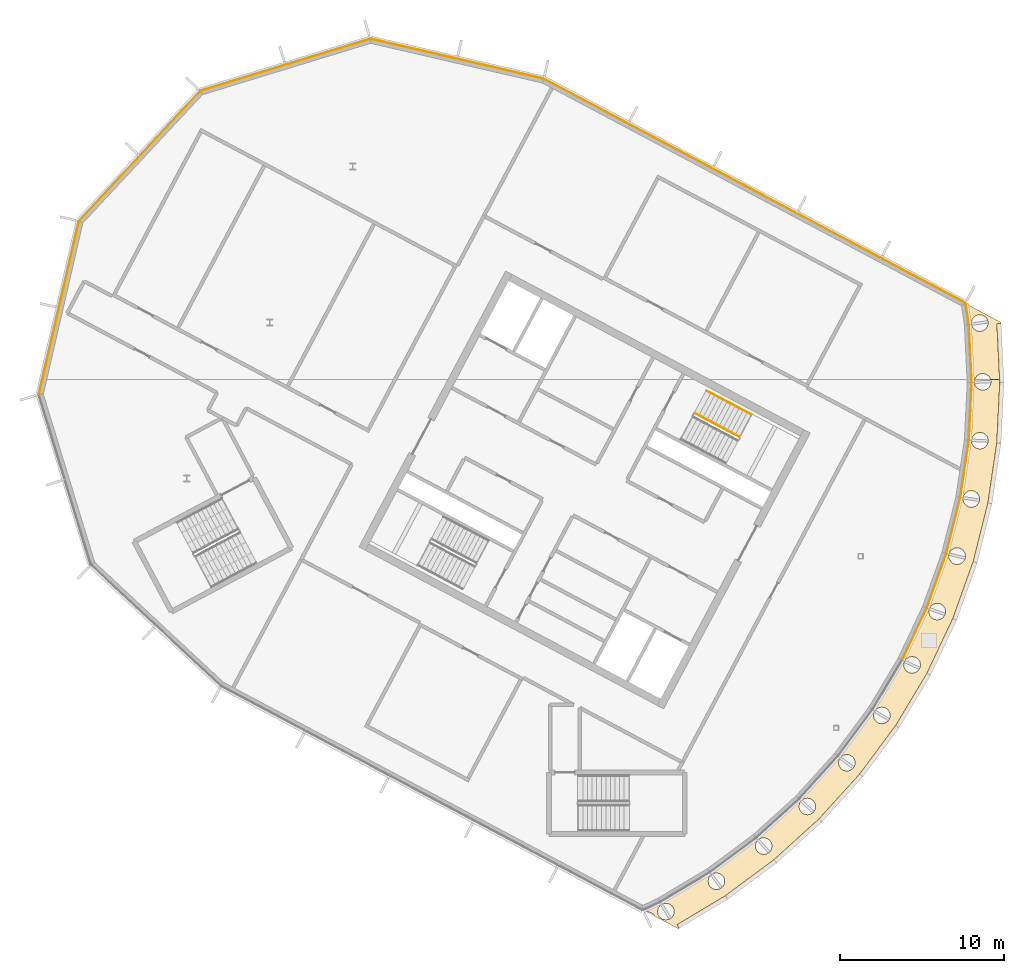
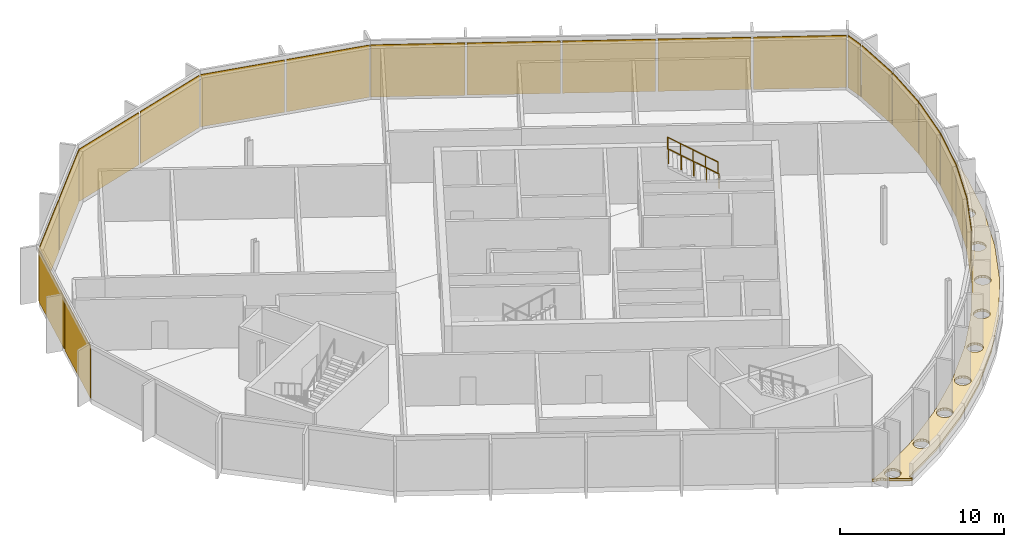
# One storey, part 12 of 12: 22 coverings, 2 railings, 12 elements without a shape of their own.
"""IFC4 building model written with IfcOpenShell, lengths in metres."""

from ifc_helpers import new_model, si_unit, direction, frame, origin, origin_2d, place, context, subcontext, project, spatial, polyline, rectangle, outline, extrude, material, layer, layer_set, type_object, element, aggregate, save


model = new_model("IFC4")

# Units and contexts
model_context = context("Model", 3, precision=1e-05, world=origin(), true_north=direction((0.0, 1.0)))
body_context = subcontext(model_context, "Body", "Model", "MODEL_VIEW")
ifc_project = project(units=[si_unit("LENGTHUNIT", "METRE"), si_unit("AREAUNIT", "SQUARE_METRE"), si_unit("VOLUMEUNIT", "CUBIC_METRE"), si_unit("PLANEANGLEUNIT", "RADIAN"), si_unit("MASSUNIT", "GRAM", prefix="KILO")], contexts=[model_context])

# Site, building, storey
site_placement = place(None, origin())
site = spatial("IfcSite", under=ifc_project, at=site_placement, CompositionType="ELEMENT")
building_placement = place(site_placement, origin())
building = spatial("IfcBuilding", under=site, at=building_placement, Name="Cormorant Relay Tower", CompositionType="ELEMENT")
storey_placement = place(building_placement, frame((0.0, 0.0, 349.199951171875)))
storey = spatial("IfcBuildingStorey", under=building, at=storey_placement, Name="C6", CompositionType="ELEMENT", Elevation=349.199951171875)

# Curtain wall, covering
ifc_material_1 = material(Name="Aluminium 6063-T6 anodised bronze", Category="aluminium")
ifc_layer_1 = layer(ifc_material_1, 0.199951171875)
ifc_layer_set_1 = layer_set([ifc_layer_1], Name="CW3 crown screen wall")
curtain_wall_type = type_object("IfcCurtainWallType", Name="CW3 crown screen wall", PredefinedType="NOTDEFINED", material=ifc_layer_set_1)
curtain_wall_1_placement = place(storey_placement, origin())
curtain_wall_1 = element("IfcCurtainWall", 1, at=curtain_wall_1_placement, inside=storey, type_object=curtain_wall_type, Name="CW3 curtain wall 9", PredefinedType="NOTDEFINED")
ifc_material_2 = material(Name="Perforated bronze anodised aluminium screen", Category="aluminium")
ifc_layer_2 = layer(ifc_material_2, 0.0400390625)
ifc_layer_set_2 = layer_set([ifc_layer_2], Name="CW3 perforated bronze screen panel 40")
covering_type_1 = type_object("IfcCoveringType", Name="CW3 perforated bronze screen panel 40", PredefinedType="CLADDING", material=ifc_layer_set_2)
covering_1_placement = place(storey_placement, frame((-7.194091796875, 5.778076171875, 0.0), z_axis=(0.0, 0.0, 1.0), x_axis=(0.42755509343, 0.903989293123, 0.0)))
covering_1 = element("IfcCovering", 2, at=covering_1_placement, type_object=covering_type_1, Name="CW3 panel X00", PredefinedType="CLADDING", context=body_context, shape_type="SweptSolid", body=[
    extrude(rectangle(XDim=3.4580078125, YDim=0.0400390625, at=origin_2d()), origin(), (0.0, 0.0, 1.0), 3.89990234375),
])
aggregate(curtain_wall_1, [covering_1])

curtain_wall_2_placement = place(storey_placement, origin())
curtain_wall_2 = element("IfcCurtainWall", 3, at=curtain_wall_2_placement, inside=storey, type_object=curtain_wall_type, Name="CW3 curtain wall 10", PredefinedType="NOTDEFINED")
covering_2_placement = place(storey_placement, frame((-5.846435546875, 9.04150390625, 0.0), z_axis=(0.0, 0.0, 1.0), x_axis=(0.336889853392, 0.941544065183, 0.0)))
covering_2 = element("IfcCovering", 4, at=covering_2_placement, type_object=covering_type_1, Name="CW3 panel X00", PredefinedType="CLADDING", context=body_context, shape_type="SweptSolid", body=[
    extrude(rectangle(XDim=3.4580078125, YDim=0.0400390625, at=origin_2d()), origin(), (0.0, 0.0, 1.0), 3.89990234375),
])
aggregate(curtain_wall_2, [covering_2])

curtain_wall_3_placement = place(storey_placement, origin())
curtain_wall_3 = element("IfcCurtainWall", 5, at=curtain_wall_3_placement, inside=storey, type_object=curtain_wall_type, Name="CW3 curtain wall 11", PredefinedType="NOTDEFINED")
covering_3_placement = place(storey_placement, frame((-4.8251953125, 12.4208984375, 0.0), z_axis=(0.0, 0.0, 1.0), x_axis=(0.242980179903, 0.970031253195, 0.0)))
covering_3 = element("IfcCovering", 6, at=covering_3_placement, type_object=covering_type_1, Name="CW3 panel X00", PredefinedType="CLADDING", context=body_context, shape_type="SweptSolid", body=[
    extrude(rectangle(XDim=3.4580078125, YDim=0.0400390625, at=origin_2d()), origin(), (0.0, 0.0, 1.0), 3.89990234375),
])
aggregate(curtain_wall_3, [covering_3])

curtain_wall_4_placement = place(storey_placement, origin())
curtain_wall_4 = element("IfcCurtainWall", 7, at=curtain_wall_4_placement, inside=storey, type_object=curtain_wall_type, Name="CW3 curtain wall 12", PredefinedType="NOTDEFINED")
covering_4_placement = place(storey_placement, frame((-4.139892578125, 15.884521484375, 0.0), z_axis=(0.0, 0.0, 1.0), x_axis=(0.146730474455, 0.989176509965, 0.0)))
covering_4 = element("IfcCovering", 8, at=covering_4_placement, type_object=covering_type_1, Name="CW3 panel X00", PredefinedType="CLADDING", context=body_context, shape_type="SweptSolid", body=[
    extrude(rectangle(XDim=3.4580078125, YDim=0.0400390625, at=origin_2d()), origin(), (0.0, 0.0, 1.0), 3.89990234375),
])
aggregate(curtain_wall_4, [covering_4])

curtain_wall_5_placement = place(storey_placement, origin())
curtain_wall_5 = element("IfcCurtainWall", 9, at=curtain_wall_5_placement, inside=storey, type_object=curtain_wall_type, Name="CW3 curtain wall 13", PredefinedType="NOTDEFINED")
covering_5_placement = place(storey_placement, frame((-3.797607421875, 19.3984375, 0.0), z_axis=(0.0, 0.0, 1.0), x_axis=(0.049067674327, 0.998795456205, 0.0)))
covering_5 = element("IfcCovering", 10, at=covering_5_placement, type_object=covering_type_1, Name="CW3 panel X00", PredefinedType="CLADDING", context=body_context, shape_type="SweptSolid", body=[
    extrude(rectangle(XDim=3.4580078125, YDim=0.0400390625, at=origin_2d()), origin(), (0.0, 0.0, 1.0), 3.89990234375),
])
aggregate(curtain_wall_5, [covering_5])

curtain_wall_6_placement = place(storey_placement, origin())
curtain_wall_6 = element("IfcCurtainWall", 11, at=curtain_wall_6_placement, inside=storey, type_object=curtain_wall_type, Name="CW3 curtain wall 14", PredefinedType="NOTDEFINED")
covering_6_placement = place(storey_placement, frame((-3.80126953125, 22.928955078125, 0.0), z_axis=(0.0, 0.0, 1.0), x_axis=(-0.049067674327, 0.998795456205, 0.0)))
covering_6 = element("IfcCovering", 12, at=covering_6_placement, type_object=covering_type_1, Name="CW3 panel X00", PredefinedType="CLADDING", context=body_context, shape_type="SweptSolid", body=[
    extrude(rectangle(XDim=3.4580078125, YDim=0.0400390625, at=origin_2d()), origin(), (0.0, 0.0, 1.0), 3.89990234375),
])
aggregate(curtain_wall_6, [covering_6])

curtain_wall_7_placement = place(storey_placement, origin())
curtain_wall_7 = element("IfcCurtainWall", 13, at=curtain_wall_7_placement, inside=storey, type_object=curtain_wall_type, Name="CW3 curtain wall 15", PredefinedType="NOTDEFINED")
covering_7_placement = place(storey_placement, frame((-3.98876953125, 25.349609375, 0.0), z_axis=(0.0, 0.0, 1.0), x_axis=(-0.146730474455, 0.989176509965, 0.0)))
covering_7 = element("IfcCovering", 14, at=covering_7_placement, type_object=covering_type_1, Name="CW3 panel X00", PredefinedType="CLADDING", context=body_context, shape_type="SweptSolid", body=[
    extrude(rectangle(XDim=1.24853515625, YDim=0.0400390625, at=origin_2d()), origin(), (0.0, 0.0, 1.0), 3.89990234375),
])
aggregate(curtain_wall_7, [covering_7])

# Curtain wall, coverings
curtain_wall_8_placement = place(storey_placement, origin())
curtain_wall_8 = element("IfcCurtainWall", 15, at=curtain_wall_8_placement, inside=storey, type_object=curtain_wall_type, Name="CW3 curtain wall 16", PredefinedType="NOTDEFINED")
covering_8_placement = place(storey_placement, frame((-6.668212890625, 27.35205078125, 0.0), z_axis=(0.0, 0.0, 1.0), x_axis=(-0.882947592859, 0.469471562786, 0.0)))
covering_8 = element("IfcCovering", 16, at=covering_8_placement, type_object=covering_type_1, Name="CW3 panel X00", PredefinedType="CLADDING", context=body_context, shape_type="SweptSolid", body=[
    extrude(rectangle(XDim=5.68798828125, YDim=0.0400390625, at=origin_2d()), origin(), (0.0, 0.0, 1.0), 3.89990234375),
])
covering_9_placement = place(storey_placement, frame((-11.822998046875, 30.093017578125, 0.0), z_axis=(0.0, 0.0, 1.0), x_axis=(-0.882947592859, 0.469471562786, 0.0)))
covering_9 = element("IfcCovering", 17, at=covering_9_placement, type_object=covering_type_1, Name="CW3 panel X01", PredefinedType="CLADDING", context=body_context, shape_type="SweptSolid", body=[
    extrude(rectangle(XDim=5.68798828125, YDim=0.0400390625, at=origin_2d()), origin(), (0.0, 0.0, 1.0), 3.89990234375),
])
covering_10_placement = place(storey_placement, frame((-16.9775390625, 32.833740234375, 0.0), z_axis=(0.0, 0.0, 1.0), x_axis=(-0.882947592859, 0.469471562786, 0.0)))
covering_10 = element("IfcCovering", 18, at=covering_10_placement, type_object=covering_type_1, Name="CW3 panel X02", PredefinedType="CLADDING", context=body_context, shape_type="SweptSolid", body=[
    extrude(rectangle(XDim=5.68798828125, YDim=0.0400390625, at=origin_2d()), origin(), (0.0, 0.0, 1.0), 3.89990234375),
])
covering_11_placement = place(storey_placement, frame((-22.13232421875, 35.57470703125, 0.0), z_axis=(0.0, 0.0, 1.0), x_axis=(-0.882947592859, 0.469471562786, 0.0)))
covering_11 = element("IfcCovering", 19, at=covering_11_placement, type_object=covering_type_1, Name="CW3 panel X03", PredefinedType="CLADDING", context=body_context, shape_type="SweptSolid", body=[
    extrude(rectangle(XDim=5.68798828125, YDim=0.0400390625, at=origin_2d()), origin(), (0.0, 0.0, 1.0), 3.89990234375),
])
covering_12_placement = place(storey_placement, frame((-27.320068359375, 38.3330078125, 0.0), z_axis=(0.0, 0.0, 1.0), x_axis=(-0.882947592859, 0.469471562786, 0.0)))
covering_12 = element("IfcCovering", 20, at=covering_12_placement, type_object=covering_type_1, Name="CW3 panel X04", PredefinedType="CLADDING", context=body_context, shape_type="SweptSolid", body=[
    extrude(rectangle(XDim=5.76318359375, YDim=0.0400390625, at=origin_2d()), origin(), (0.0, 0.0, 1.0), 3.89990234375),
])
aggregate(curtain_wall_8, [covering_8, covering_9, covering_10, covering_11, covering_12])

curtain_wall_9_placement = place(storey_placement, origin())
curtain_wall_9 = element("IfcCurtainWall", 21, at=curtain_wall_9_placement, inside=storey, type_object=curtain_wall_type, Name="CW3 curtain wall 17", PredefinedType="NOTDEFINED")
covering_13_placement = place(storey_placement, frame((-32.51708984375, 40.298828125, 0.0), z_axis=(0.0, 0.0, 1.0), x_axis=(-0.974370064785, 0.224951054344, 0.0)))
covering_13 = element("IfcCovering", 22, at=covering_13_placement, type_object=covering_type_1, Name="CW3 panel X00", PredefinedType="CLADDING", context=body_context, shape_type="SweptSolid", body=[
    extrude(rectangle(XDim=5.28515625, YDim=0.0400390625, at=origin_2d()), origin(), (0.0, 0.0, 1.0), 3.89990234375),
])
covering_14_placement = place(storey_placement, frame((-37.849609375, 41.530029296875, 0.0), z_axis=(0.0, 0.0, 1.0), x_axis=(-0.974370064785, 0.224951054344, 0.0)))
covering_14 = element("IfcCovering", 23, at=covering_14_placement, type_object=covering_type_1, Name="CW3 panel X01", PredefinedType="CLADDING", context=body_context, shape_type="SweptSolid", body=[
    extrude(rectangle(XDim=5.360107421875, YDim=0.0400390625, at=origin_2d()), origin(), (0.0, 0.0, 1.0), 3.89990234375),
])
aggregate(curtain_wall_9, [covering_13, covering_14])

curtain_wall_10_placement = place(storey_placement, origin())
curtain_wall_10 = element("IfcCurtainWall", 24, at=curtain_wall_10_placement, inside=storey, type_object=curtain_wall_type, Name="CW3 curtain wall 18", PredefinedType="NOTDEFINED")
covering_15_placement = place(storey_placement, frame((-43.0703125, 41.337890625, 0.0), z_axis=(0.0, 0.0, 1.0), x_axis=(-0.956304755963, -0.292371704723, 0.0)))
covering_15 = element("IfcCovering", 25, at=covering_15_placement, type_object=covering_type_1, Name="CW3 panel X00", PredefinedType="CLADDING", context=body_context, shape_type="SweptSolid", body=[
    extrude(rectangle(XDim=5.28515625, YDim=0.0400390625, at=origin_2d()), origin(), (0.0, 0.0, 1.0), 3.89990234375),
])
covering_16_placement = place(storey_placement, frame((-48.3037109375, 39.73779296875, 0.0), z_axis=(0.0, 0.0, 1.0), x_axis=(-0.956304755963, -0.292371704723, 0.0)))
covering_16 = element("IfcCovering", 26, at=covering_16_placement, type_object=covering_type_1, Name="CW3 panel X01", PredefinedType="CLADDING", context=body_context, shape_type="SweptSolid", body=[
    extrude(rectangle(XDim=5.360107421875, YDim=0.0400390625, at=origin_2d()), origin(), (0.0, 0.0, 1.0), 3.89990234375),
])
aggregate(curtain_wall_10, [covering_15, covering_16])

curtain_wall_11_placement = place(storey_placement, origin())
curtain_wall_11 = element("IfcCurtainWall", 27, at=curtain_wall_11_placement, inside=storey, type_object=curtain_wall_type, Name="CW3 curtain wall 19", PredefinedType="NOTDEFINED")
covering_17_placement = place(storey_placement, frame((-52.72900390625, 36.961181640625, 0.0), z_axis=(0.0, 0.0, 1.0), x_axis=(-0.681998360062, -0.731353701619, 0.0)))
covering_17 = element("IfcCovering", 28, at=covering_17_placement, type_object=covering_type_1, Name="CW3 panel X00", PredefinedType="CLADDING", context=body_context, shape_type="SweptSolid", body=[
    extrude(rectangle(XDim=5.28515625, YDim=0.0400390625, at=origin_2d()), origin(), (0.0, 0.0, 1.0), 3.89990234375),
])
covering_18_placement = place(storey_placement, frame((-56.461181640625, 32.958984375, 0.0), z_axis=(0.0, 0.0, 1.0), x_axis=(-0.681998360062, -0.731353701619, 0.0)))
covering_18 = element("IfcCovering", 29, at=covering_18_placement, type_object=covering_type_1, Name="CW3 panel X01", PredefinedType="CLADDING", context=body_context, shape_type="SweptSolid", body=[
    extrude(rectangle(XDim=5.360107421875, YDim=0.0400390625, at=origin_2d()), origin(), (0.0, 0.0, 1.0), 3.89990234375),
])
aggregate(curtain_wall_11, [covering_17, covering_18])

curtain_wall_12_placement = place(storey_placement, origin())
curtain_wall_12 = element("IfcCurtainWall", 30, at=curtain_wall_12_placement, inside=storey, type_object=curtain_wall_type, Name="CW3 curtain wall 20", PredefinedType="NOTDEFINED")
covering_19_placement = place(storey_placement, frame((-58.905517578125, 28.341796875, 0.0), z_axis=(0.0, 0.0, 1.0), x_axis=(-0.224951054344, -0.974370064785, 0.0)))
covering_19 = element("IfcCovering", 31, at=covering_19_placement, type_object=covering_type_1, Name="CW3 panel X00", PredefinedType="CLADDING", context=body_context, shape_type="SweptSolid", body=[
    extrude(rectangle(XDim=5.28515625, YDim=0.0400390625, at=origin_2d()), origin(), (0.0, 0.0, 1.0), 3.89990234375),
])
covering_20_placement = place(storey_placement, frame((-60.136474609375, 23.00927734375, 0.0), z_axis=(0.0, 0.0, 1.0), x_axis=(-0.224951054344, -0.974370064785, 0.0)))
covering_20 = element("IfcCovering", 32, at=covering_20_placement, type_object=covering_type_1, Name="CW3 panel X01", PredefinedType="CLADDING", context=body_context, shape_type="SweptSolid", body=[
    extrude(rectangle(XDim=5.360107421875, YDim=0.0400390625, at=origin_2d()), origin(), (0.0, 0.0, 1.0), 3.89990234375),
])
aggregate(curtain_wall_12, [covering_19, covering_20])

# Coverings
ifc_material_3 = material(Name="Bituminous waterproof membrane on mineral wool insulation")
ifc_layer_3 = layer(ifc_material_3, 0.179931640625)
ifc_layer_set_3 = layer_set([ifc_layer_3], Name="Roof membrane and insulation 180")
covering_type_2 = type_object("IfcCoveringType", Name="Roof membrane and insulation 180", PredefinedType="ROOFING", material=ifc_layer_set_3)
covering_21_placement = place(storey_placement, origin())
element("IfcCovering", 33, at=covering_21_placement, inside=storey, type_object=covering_type_2, Name="Roof membrane", PredefinedType="ROOFING", context=body_context, shape_type="SweptSolid", body=[
    extrude(outline(polyline([(-21.638916015625, -12.2783203125), (-23.073486328125, -11.515380859375), (-23.155517578125, -11.39306640625), (-23.321044921875, -11.282470703125), (-23.51611328125, -11.24365234375), (-23.566162109375, -11.253662109375), (-23.814453125, -11.12158203125), (-23.75634765625, -11.093994140625), (-23.7353515625, -11.138427734375), (-22.73193359375, -10.663818359375), (-22.75341796875, -10.61865234375), (-22.7060546875, -10.59033203125), (-22.680908203125, -10.63232421875), (-19.69775390625, -8.844482421875), (-19.723388671875, -8.801513671875), (-19.67919921875, -8.768798828125), (-19.650146484375, -8.80810546875), (-16.856689453125, -6.736328125), (-16.886474609375, -6.6962890625), (-16.845703125, -6.6591796875), (-16.812744140625, -6.695556640625), (-14.23583984375, -4.35986328125), (-14.269287109375, -4.322998046875), (-14.232421875, -4.281982421875), (-14.196044921875, -4.31494140625), (-11.860595703125, -1.738037109375), (-11.8974609375, -1.70458984375), (-11.86474609375, -1.660400390625), (-11.825439453125, -1.689453125), (-9.753662109375, 1.10400390625), (-9.793701171875, 1.1337890625), (-9.765380859375, 1.180908203125), (-9.723388671875, 1.15576171875), (-7.935546875, 4.138916015625), (-7.978271484375, 4.16455078125), (-7.954833984375, 4.21435546875), (-7.910400390625, 4.193359375), (-6.423583984375, 7.33740234375), (-6.46875, 7.358642578125), (-6.4501953125, 7.410400390625), (-6.404052734375, 7.39404296875), (-5.232421875, 10.668701171875), (-5.279296875, 10.685302734375), (-5.26611328125, 10.73876953125), (-5.218505859375, 10.726806640625), (-4.37353515625, 14.1005859375), (-4.421875, 14.11279296875), (-4.413818359375, 14.1669921875), (-4.365478515625, 14.159912109375), (-3.85498046875, 17.60009765625), (-3.904541015625, 17.607421875), (-3.90185546875, 17.66259765625), (-3.852783203125, 17.66015625), (-3.68212890625, 21.1337890625), (-3.732177734375, 21.13623046875), (-3.73486328125, 21.191162109375), (-3.685791015625, 21.193603515625), (-3.691162109375, 21.300048828125), (-3.51611328125, 21.300048828125), (-3.543701171875, 21.16064453125), (-3.5048828125, 20.96533203125), (-3.394287109375, 20.7998046875), (-3.228759765625, 20.689208984375), (-3.033447265625, 20.650390625), (-2.83837890625, 20.689208984375), (-2.672607421875, 20.7998046875), (-2.56201171875, 20.96533203125), (-2.523193359375, 21.16064453125), (-2.551025390625, 21.300048828125), (-2.00146484375, 21.300048828125), (-1.992919921875, 21.126220703125), (-2.1748046875, 17.427001953125), (-2.718017578125, 13.763671875), (-3.617919921875, 10.1708984375), (-4.86572265625, 6.683837890625), (-6.44921875, 3.335693359375), (-8.353271484375, 0.1591796875), (-10.5595703125, -2.815673828125), (-13.046630859375, -5.559814453125), (-15.790771484375, -8.046875), (-18.765625, -10.253173828125), (-21.720458984375, -12.024169921875), (-21.5869140625, -12.247314453125), (-21.638916015625, -12.2783203125)]), holes=[polyline([(-3.402099609375, 17.091796875), (-3.206787109375, 17.052978515625), (-3.01171875, 17.091796875), (-2.845947265625, 17.202392578125), (-2.7353515625, 17.3681640625), (-2.696533203125, 17.563232421875), (-2.7353515625, 17.758544921875), (-2.845947265625, 17.924072265625), (-3.01171875, 18.03466796875), (-3.206787109375, 18.073486328125), (-3.402099609375, 18.03466796875), (-3.567626953125, 17.924072265625), (-3.67822265625, 17.758544921875), (-3.717041015625, 17.563232421875), (-3.67822265625, 17.3681640625), (-3.567626953125, 17.202392578125), (-3.402099609375, 17.091796875)]), polyline([(-3.73193359375, 13.489990234375), (-3.53662109375, 13.52880859375), (-3.37109375, 13.639404296875), (-3.260498046875, 13.80517578125), (-3.2216796875, 14.000244140625), (-3.260498046875, 14.195556640625), (-3.37109375, 14.361083984375), (-3.53662109375, 14.4716796875), (-3.73193359375, 14.510498046875), (-3.927001953125, 14.4716796875), (-4.0927734375, 14.361083984375), (-4.203369140625, 14.195556640625), (-4.2421875, 14.000244140625), (-4.203369140625, 13.80517578125), (-4.0927734375, 13.639404296875), (-3.927001953125, 13.52880859375), (-3.73193359375, 13.489990234375)]), polyline([(-4.799072265625, 10.034423828125), (-4.603759765625, 9.99560546875), (-4.40869140625, 10.034423828125), (-4.242919921875, 10.14501953125), (-4.13232421875, 10.310791015625), (-4.093505859375, 10.505859375), (-4.13232421875, 10.701171875), (-4.242919921875, 10.86669921875), (-4.40869140625, 10.977294921875), (-4.603759765625, 11.01611328125), (-4.799072265625, 10.977294921875), (-4.964599609375, 10.86669921875), (-5.0751953125, 10.701171875), (-5.114013671875, 10.505859375), (-5.0751953125, 10.310791015625), (-4.964599609375, 10.14501953125), (-4.799072265625, 10.034423828125)]), polyline([(-5.81396484375, 6.603515625), (-5.61865234375, 6.642333984375), (-5.453125, 6.7529296875), (-5.342529296875, 6.918701171875), (-5.3037109375, 7.11376953125), (-5.342529296875, 7.30908203125), (-5.453125, 7.474609375), (-5.61865234375, 7.585205078125), (-5.81396484375, 7.6240234375), (-6.009033203125, 7.585205078125), (-6.1748046875, 7.474609375), (-6.285400390625, 7.30908203125), (-6.32421875, 7.11376953125), (-6.285400390625, 6.918701171875), (-6.1748046875, 6.7529296875), (-6.009033203125, 6.642333984375), (-5.81396484375, 6.603515625)]), polyline([(-7.3505859375, 3.346435546875), (-7.155517578125, 3.38525390625), (-6.989990234375, 3.495849609375), (-6.87939453125, 3.661376953125), (-6.840576171875, 3.856689453125), (-6.87939453125, 4.0517578125), (-6.989990234375, 4.21728515625), (-7.155517578125, 4.327880859375), (-7.3505859375, 4.36669921875), (-7.5458984375, 4.327880859375), (-7.71142578125, 4.21728515625), (-7.822021484375, 4.0517578125), (-7.86083984375, 3.856689453125), (-7.822021484375, 3.661376953125), (-7.71142578125, 3.495849609375), (-7.5458984375, 3.38525390625), (-7.3505859375, 3.346435546875)]), polyline([(-9.39453125, 0.29443359375), (-9.19921875, 0.255615234375), (-9.004150390625, 0.29443359375), (-8.83837890625, 0.405029296875), (-8.727783203125, 0.570556640625), (-8.689208984375, 0.765869140625), (-8.727783203125, 0.9609375), (-8.83837890625, 1.126708984375), (-9.004150390625, 1.2373046875), (-9.19921875, 1.27587890625), (-9.39453125, 1.2373046875), (-9.56005859375, 1.126708984375), (-9.670654296875, 0.9609375), (-9.70947265625, 0.765869140625), (-9.670654296875, 0.570556640625), (-9.56005859375, 0.405029296875), (-9.39453125, 0.29443359375)]), polyline([(-11.342041015625, -2.63916015625), (-11.146728515625, -2.600341796875), (-10.981201171875, -2.48974609375), (-10.87060546875, -2.32421875), (-10.831787109375, -2.12890625), (-10.87060546875, -1.93359375), (-10.981201171875, -1.76806640625), (-11.146728515625, -1.657470703125), (-11.342041015625, -1.61865234375), (-11.537109375, -1.657470703125), (-11.702880859375, -1.76806640625), (-11.8134765625, -1.93359375), (-11.852294921875, -2.12890625), (-11.8134765625, -2.32421875), (-11.702880859375, -2.48974609375), (-11.537109375, -2.600341796875), (-11.342041015625, -2.63916015625)]), polyline([(-13.758056640625, -5.309814453125), (-13.56298828125, -5.27099609375), (-13.397216796875, -5.160400390625), (-13.28662109375, -4.994873046875), (-13.247802734375, -4.7998046875), (-13.28662109375, -4.6044921875), (-13.397216796875, -4.43896484375), (-13.56298828125, -4.328369140625), (-13.758056640625, -4.28955078125), (-13.953369140625, -4.328369140625), (-14.118896484375, -4.43896484375), (-14.2294921875, -4.6044921875), (-14.268310546875, -4.7998046875), (-14.2294921875, -4.994873046875), (-14.118896484375, -5.160400390625), (-13.953369140625, -5.27099609375), (-13.758056640625, -5.309814453125)]), polyline([(-16.61962890625, -7.692138671875), (-16.42431640625, -7.73095703125), (-16.229248046875, -7.692138671875), (-16.063720703125, -7.58154296875), (-15.952880859375, -7.416015625), (-15.914306640625, -7.220703125), (-15.952880859375, -7.025634765625), (-16.063720703125, -6.860107421875), (-16.229248046875, -6.74951171875), (-16.42431640625, -6.710693359375), (-16.61962890625, -6.74951171875), (-16.78515625, -6.860107421875), (-16.895751953125, -7.025634765625), (-16.9345703125, -7.220703125), (-16.895751953125, -7.416015625), (-16.78515625, -7.58154296875), (-16.61962890625, -7.692138671875)]), polyline([(-19.315185546875, -9.879150390625), (-19.119873046875, -9.84033203125), (-18.954345703125, -9.729736328125), (-18.84375, -9.564208984375), (-18.804931640625, -9.368896484375), (-18.84375, -9.173583984375), (-18.954345703125, -9.008056640625), (-19.119873046875, -8.8974609375), (-19.315185546875, -8.858642578125), (-19.51025390625, -8.8974609375), (-19.67578125, -9.008056640625), (-19.78662109375, -9.173583984375), (-19.8251953125, -9.368896484375), (-19.78662109375, -9.564208984375), (-19.67578125, -9.729736328125), (-19.51025390625, -9.84033203125), (-19.315185546875, -9.879150390625)]), polyline([(-22.402587890625, -11.733642578125), (-22.207275390625, -11.69482421875), (-22.041748046875, -11.584228515625), (-21.93115234375, -11.418701171875), (-21.892333984375, -11.223388671875), (-21.93115234375, -11.0283203125), (-22.041748046875, -10.862548828125), (-22.207275390625, -10.751953125), (-22.402587890625, -10.713134765625), (-22.59765625, -10.751953125), (-22.76318359375, -10.862548828125), (-22.873779296875, -11.0283203125), (-22.91259765625, -11.223388671875), (-22.873779296875, -11.418701171875), (-22.76318359375, -11.584228515625), (-22.59765625, -11.69482421875), (-22.402587890625, -11.733642578125)])]), origin(), (0.0, 0.0, 1.0), 0.179931640625),
])
covering_22_placement = place(storey_placement, origin())
element("IfcCovering", 34, at=covering_22_placement, inside=storey, type_object=covering_type_2, Name="Roof membrane", PredefinedType="ROOFING", context=body_context, shape_type="SweptSolid", body=[
    extrude(outline(polyline([(-3.691162109375, 21.300048828125), (-3.856689453125, 24.667236328125), (-3.906494140625, 24.664794921875), (-3.91455078125, 24.71923828125), (-3.8662109375, 24.7265625), (-4.04541015625, 25.934814453125), (-1.9130859375, 24.80126953125), (-1.91015625, 24.740234375), (-2.169921875, 24.7275390625), (-2.00146484375, 21.300048828125), (-2.551025390625, 21.300048828125), (-2.56201171875, 21.355712890625), (-2.672607421875, 21.521484375), (-2.83837890625, 21.632080078125), (-3.033447265625, 21.6708984375), (-3.228759765625, 21.632080078125), (-3.394287109375, 21.521484375), (-3.5048828125, 21.355712890625), (-3.51611328125, 21.300048828125), (-3.691162109375, 21.300048828125)]), holes=[polyline([(-2.852783203125, 24.396728515625), (-2.7421875, 24.562255859375), (-2.703369140625, 24.757568359375), (-2.7421875, 24.95263671875), (-2.852783203125, 25.118408203125), (-3.018310546875, 25.22900390625), (-3.213623046875, 25.267578125), (-3.40869140625, 25.22900390625), (-3.574462890625, 25.118408203125), (-3.68505859375, 24.95263671875), (-3.723876953125, 24.757568359375), (-3.68505859375, 24.562255859375), (-3.574462890625, 24.396728515625), (-3.40869140625, 24.2861328125), (-3.213623046875, 24.247314453125), (-3.018310546875, 24.2861328125), (-2.852783203125, 24.396728515625)])]), origin(), (0.0, 0.0, 1.0), 0.179931640625),
])

# Railings
ifc_material_4 = material(Name="Steel ASTM A572 Grade 50 (Fy 345 MPa)", Category="steel")
railing_type_1 = type_object("IfcRailingType", Name="Stair guard 1100", PredefinedType="GUARDRAIL", material=ifc_material_4)
railing_1_placement = place(storey_placement, frame((-17.913818359375, 17.792724609375, 2.275146484375)))
element("IfcRailing", 35, at=railing_1_placement, inside=storey, type_object=railing_type_1, Name="C6 A1 stair guard 3", PredefinedType="GUARDRAIL", context=body_context, shape_type="SweptSolid", body=[
    extrude(outline(polyline([(0.022216796875, 0.00927734375), (0.00927734375, 0.022216796875), (-0.00927734375, 0.022216796875), (-0.022216796875, 0.00927734375), (-0.022216796875, -0.00927734375), (-0.00927734375, -0.022216796875), (0.00927734375, -0.022216796875), (0.022216796875, -0.00927734375), (0.022216796875, 0.00927734375)])), frame((0.0, 0.0, 1.076171875), z_axis=(-0.748773950783, 0.398082353581, 0.529969820269), x_axis=(-0.469427602063, -0.882970965786, 0.0)), (0.0, 0.0, 1.0), 3.6318359375),
    extrude(outline(polyline([(0.019287109375, 0.008056640625), (0.008056640625, 0.019287109375), (-0.008056640625, 0.019287109375), (-0.019287109375, 0.008056640625), (-0.019287109375, -0.008056640625), (-0.008056640625, -0.019287109375), (0.008056640625, -0.019287109375), (0.019287109375, -0.008056640625), (0.019287109375, 0.008056640625)])), origin(), (0.0, 0.0, 1.0), 1.052001953125),
    extrude(outline(polyline([(0.019287109375, 0.008056640625), (0.008056640625, 0.019287109375), (-0.008056640625, 0.019287109375), (-0.019287109375, 0.008056640625), (-0.019287109375, -0.008056640625), (-0.008056640625, -0.019287109375), (0.008056640625, -0.019287109375), (0.019287109375, -0.008056640625), (0.019287109375, 0.008056640625)])), frame((-0.679931640625, 0.361328125, 0.481201171875)), (0.0, 0.0, 1.0), 1.052001953125),
    extrude(outline(polyline([(0.019287109375, 0.008056640625), (0.008056640625, 0.019287109375), (-0.008056640625, 0.019287109375), (-0.019287109375, 0.008056640625), (-0.019287109375, -0.008056640625), (-0.008056640625, -0.019287109375), (0.008056640625, -0.019287109375), (0.019287109375, -0.008056640625), (0.019287109375, 0.008056640625)])), frame((-1.35986328125, 0.722900390625, 0.96240234375)), (0.0, 0.0, 1.0), 1.052001953125),
    extrude(outline(polyline([(0.019287109375, 0.008056640625), (0.008056640625, 0.019287109375), (-0.008056640625, 0.019287109375), (-0.019287109375, 0.008056640625), (-0.019287109375, -0.008056640625), (-0.008056640625, -0.019287109375), (0.008056640625, -0.019287109375), (0.019287109375, -0.008056640625), (0.019287109375, 0.008056640625)])), frame((-2.03955078125, 1.08447265625, 1.443603515625)), (0.0, 0.0, 1.0), 1.052001953125),
    extrude(outline(polyline([(0.019287109375, 0.008056640625), (0.008056640625, 0.019287109375), (-0.008056640625, 0.019287109375), (-0.019287109375, 0.008056640625), (-0.019287109375, -0.008056640625), (-0.008056640625, -0.019287109375), (0.008056640625, -0.019287109375), (0.019287109375, -0.008056640625), (0.019287109375, 0.008056640625)])), frame((-2.719482421875, 1.44580078125, 1.9248046875)), (0.0, 0.0, 1.0), 1.052001953125),
])
ifc_material_5 = material(Name="Steel ASTM A572 Grade 50 (Fy 345 MPa)", Category="steel")
railing_type_2 = type_object("IfcRailingType", Name="Stair handrail 900", PredefinedType="HANDRAIL", material=ifc_material_5)
railing_2_placement = place(storey_placement, frame((-17.18603515625, 19.1611328125, 2.275146484375)))
element("IfcRailing", 36, at=railing_2_placement, inside=storey, type_object=railing_type_2, Name="C6 A1 stair handrail 2", PredefinedType="HANDRAIL", context=body_context, shape_type="SweptSolid", body=[
    extrude(outline(polyline([(0.022216796875, 0.00927734375), (0.00927734375, 0.022216796875), (-0.00927734375, 0.022216796875), (-0.022216796875, 0.00927734375), (-0.022216796875, -0.00927734375), (-0.00927734375, -0.022216796875), (0.00927734375, -0.022216796875), (0.022216796875, -0.00927734375), (0.022216796875, 0.00927734375)])), frame((0.0, 0.0, 0.8759765625), z_axis=(-0.748753913104, 0.39813891977, 0.529955637931), x_axis=(-0.469489399267, -0.882938108802, 0.0)), (0.0, 0.0, 1.0), 3.632080078125),
    extrude(outline(polyline([(0.019287109375, 0.008056640625), (0.008056640625, 0.019287109375), (-0.008056640625, 0.019287109375), (-0.019287109375, 0.008056640625), (-0.019287109375, -0.008056640625), (-0.008056640625, -0.019287109375), (0.008056640625, -0.019287109375), (0.019287109375, -0.008056640625), (0.019287109375, 0.008056640625)])), origin(), (0.0, 0.0, 1.0), 0.851806640625),
    extrude(outline(polyline([(0.019287109375, 0.008056640625), (0.008056640625, 0.019287109375), (-0.008056640625, 0.019287109375), (-0.019287109375, 0.008056640625), (-0.019287109375, -0.008056640625), (-0.008056640625, -0.019287109375), (0.008056640625, -0.019287109375), (0.019287109375, -0.008056640625), (0.019287109375, 0.008056640625)])), frame((-0.679931640625, 0.361572265625, 0.481201171875)), (0.0, 0.0, 1.0), 0.851806640625),
    extrude(outline(polyline([(0.019287109375, 0.008056640625), (0.008056640625, 0.019287109375), (-0.008056640625, 0.019287109375), (-0.019287109375, 0.008056640625), (-0.019287109375, -0.008056640625), (-0.008056640625, -0.019287109375), (0.008056640625, -0.019287109375), (0.019287109375, -0.008056640625), (0.019287109375, 0.008056640625)])), frame((-1.35986328125, 0.72314453125, 0.96240234375)), (0.0, 0.0, 1.0), 0.851806640625),
    extrude(outline(polyline([(0.019287109375, 0.008056640625), (0.008056640625, 0.019287109375), (-0.008056640625, 0.019287109375), (-0.019287109375, 0.008056640625), (-0.019287109375, -0.008056640625), (-0.008056640625, -0.019287109375), (0.008056640625, -0.019287109375), (0.019287109375, -0.008056640625), (0.019287109375, 0.008056640625)])), frame((-2.03955078125, 1.08447265625, 1.443603515625)), (0.0, 0.0, 1.0), 0.851806640625),
    extrude(outline(polyline([(0.019287109375, 0.008056640625), (0.008056640625, 0.019287109375), (-0.008056640625, 0.019287109375), (-0.019287109375, 0.008056640625), (-0.019287109375, -0.008056640625), (-0.008056640625, -0.019287109375), (0.008056640625, -0.019287109375), (0.019287109375, -0.008056640625), (0.019287109375, 0.008056640625)])), frame((-2.719482421875, 1.446044921875, 1.9248046875)), (0.0, 0.0, 1.0), 0.851806640625),
])

save(model, "model.ifc")
